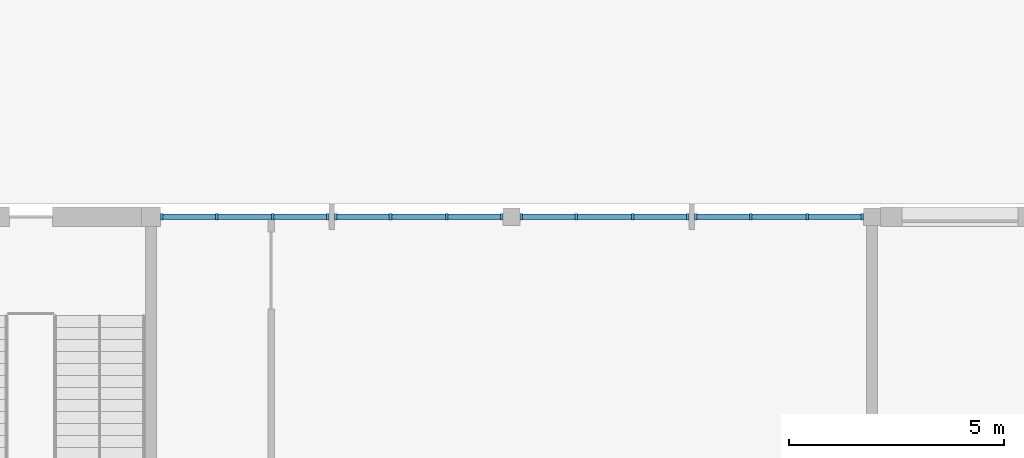
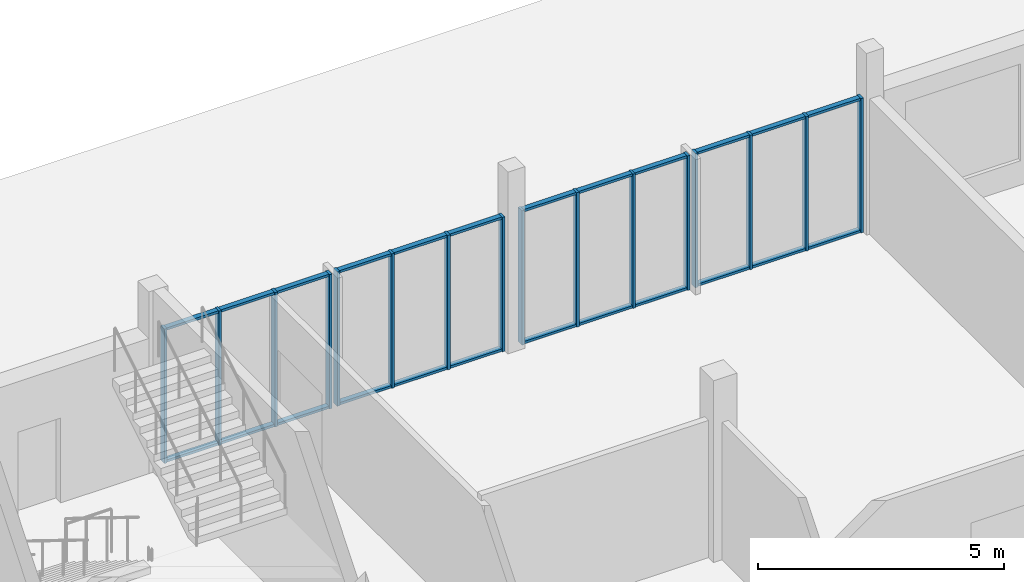
# One storey, part 52 of 101: 40 members, 4 elements without a shape of their own.
"""IFC4 building model written with IfcOpenShell, lengths in metres."""

from ifc_helpers import new_model, si_unit, direction, frame, origin, origin_2d, place, context, subcontext, project, spatial, rectangle, extrude, material, material_profile, profile_set, type_object, element, aggregate, save


model = new_model("IFC4")

# Units and contexts
model_context = context("Model", 3, precision=1e-05, world=origin(), true_north=direction((0.0, 1.0)))
body_context = subcontext(model_context, "Body", "Model", "MODEL_VIEW")
ifc_project = project(units=[si_unit("LENGTHUNIT", "METRE"), si_unit("AREAUNIT", "SQUARE_METRE"), si_unit("VOLUMEUNIT", "CUBIC_METRE"), si_unit("PLANEANGLEUNIT", "RADIAN"), si_unit("MASSUNIT", "GRAM", prefix="KILO")], contexts=[model_context])

# Site, building, storey
site_placement = place(None, origin())
site = spatial("IfcSite", under=ifc_project, at=site_placement, CompositionType="ELEMENT")
building_placement = place(site_placement, origin())
building = spatial("IfcBuilding", under=site, at=building_placement, Name="Fescue Hill Polytechnic", CompositionType="ELEMENT")
storey_placement = place(building_placement, frame((0.0, 0.0, 9.0)))
storey = spatial("IfcBuildingStorey", under=building, at=storey_placement, Name="L02", CompositionType="ELEMENT", Elevation=9.0)

# Curtain wall, members
ifc_material_1 = material(Name="Glass", Category="glass")
curtain_wall_type = type_object("IfcCurtainWallType", Name="Curtain wall structural glazing", PredefinedType="NOTDEFINED", material=ifc_material_1)
curtain_wall_1_placement = place(storey_placement, origin())
curtain_wall_1 = element("IfcCurtainWall", 1, at=curtain_wall_1_placement, inside=storey, type_object=curtain_wall_type, Name="CW-L02-V5-1", PredefinedType="NOTDEFINED")
ifc_material_2 = material(Name="Powder-coated aluminium", Category="aluminium")
ifc_material_profile_1 = material_profile(ifc_material_2, rectangle(XDim=0.159912109375, YDim=0.06005859375, at=origin_2d()), Name="Mullion aluminium 60x160")
ifc_profile_set_1 = profile_set([ifc_material_profile_1], Name="Powder-coated aluminium")
member_type_1 = type_object("IfcMemberType", Name="Mullion aluminium 60x160", PredefinedType="MULLION", material=ifc_profile_set_1)
member_1_placement = place(storey_placement, frame((58.570068359375, 134.39990234375, 0.0), z_axis=(0.0, 0.0, 1.0), x_axis=(0.0, -1.0, 0.0)))
member_1 = element("IfcMember", 2, at=member_1_placement, type_object=member_type_1, Name="CW62 mullion 1", PredefinedType="MULLION", context=body_context, shape_type="SweptSolid", body=[
    extrude(rectangle(XDim=0.159912109375, YDim=0.06005859375, at=origin_2d()), origin(), (0.0, 0.0, 1.0), 3.330078125),
])
member_2_placement = place(storey_placement, frame((57.28662109375, 134.39990234375, 0.0), z_axis=(0.0, 0.0, 1.0), x_axis=(0.0, -1.0, 0.0)))
member_2 = element("IfcMember", 3, at=member_2_placement, type_object=member_type_1, Name="CW62 mullion 2", PredefinedType="MULLION", context=body_context, shape_type="SweptSolid", body=[
    extrude(rectangle(XDim=0.159912109375, YDim=0.06005859375, at=origin_2d()), origin(), (0.0, 0.0, 1.0), 3.330078125),
])
member_3_placement = place(storey_placement, frame((55.973388671875, 134.39990234375, 0.0), z_axis=(0.0, 0.0, 1.0), x_axis=(0.0, -1.0, 0.0)))
member_3 = element("IfcMember", 4, at=member_3_placement, type_object=member_type_1, Name="CW62 mullion 3", PredefinedType="MULLION", context=body_context, shape_type="SweptSolid", body=[
    extrude(rectangle(XDim=0.159912109375, YDim=0.06005859375, at=origin_2d()), origin(), (0.0, 0.0, 1.0), 3.330078125),
])
member_4_placement = place(storey_placement, frame((54.68994140625, 134.39990234375, 0.0), z_axis=(0.0, 0.0, 1.0), x_axis=(0.0, -1.0, 0.0)))
member_4 = element("IfcMember", 5, at=member_4_placement, type_object=member_type_1, Name="CW62 mullion 4", PredefinedType="MULLION", context=body_context, shape_type="SweptSolid", body=[
    extrude(rectangle(XDim=0.159912109375, YDim=0.06005859375, at=origin_2d()), origin(), (0.0, 0.0, 1.0), 3.330078125),
])

curtain_wall_2_placement = place(storey_placement, origin())
curtain_wall_2 = element("IfcCurtainWall", 6, at=curtain_wall_2_placement, inside=storey, type_object=curtain_wall_type, Name="CW-L02-V5-2", PredefinedType="NOTDEFINED")
member_5_placement = place(storey_placement, frame((54.510009765625, 134.39990234375, 0.0), z_axis=(0.0, 0.0, 1.0), x_axis=(0.0, -1.0, 0.0)))
member_5 = element("IfcMember", 7, at=member_5_placement, type_object=member_type_1, Name="CW63 mullion 1", PredefinedType="MULLION", context=body_context, shape_type="SweptSolid", body=[
    extrude(rectangle(XDim=0.159912109375, YDim=0.06005859375, at=origin_2d()), origin(), (0.0, 0.0, 1.0), 3.330078125),
])
member_6_placement = place(storey_placement, frame((53.2265625, 134.39990234375, 0.0), z_axis=(0.0, 0.0, 1.0), x_axis=(0.0, -1.0, 0.0)))
member_6 = element("IfcMember", 8, at=member_6_placement, type_object=member_type_1, Name="CW63 mullion 2", PredefinedType="MULLION", context=body_context, shape_type="SweptSolid", body=[
    extrude(rectangle(XDim=0.159912109375, YDim=0.06005859375, at=origin_2d()), origin(), (0.0, 0.0, 1.0), 3.330078125),
])
member_7_placement = place(storey_placement, frame((51.913330078125, 134.39990234375, 0.0), z_axis=(0.0, 0.0, 1.0), x_axis=(0.0, -1.0, 0.0)))
member_7 = element("IfcMember", 9, at=member_7_placement, type_object=member_type_1, Name="CW63 mullion 3", PredefinedType="MULLION", context=body_context, shape_type="SweptSolid", body=[
    extrude(rectangle(XDim=0.159912109375, YDim=0.06005859375, at=origin_2d()), origin(), (0.0, 0.0, 1.0), 3.330078125),
])
member_8_placement = place(storey_placement, frame((50.6298828125, 134.39990234375, 0.0), z_axis=(0.0, 0.0, 1.0), x_axis=(0.0, -1.0, 0.0)))
member_8 = element("IfcMember", 10, at=member_8_placement, type_object=member_type_1, Name="CW63 mullion 4", PredefinedType="MULLION", context=body_context, shape_type="SweptSolid", body=[
    extrude(rectangle(XDim=0.159912109375, YDim=0.06005859375, at=origin_2d()), origin(), (0.0, 0.0, 1.0), 3.330078125),
])

curtain_wall_3_placement = place(storey_placement, origin())
curtain_wall_3 = element("IfcCurtainWall", 11, at=curtain_wall_3_placement, inside=storey, type_object=curtain_wall_type, Name="CW-L02-V5-3", PredefinedType="NOTDEFINED")
member_9_placement = place(storey_placement, frame((50.169921875, 134.39990234375, 0.0), z_axis=(0.0, 0.0, 1.0), x_axis=(0.0, -1.0, 0.0)))
member_9 = element("IfcMember", 12, at=member_9_placement, type_object=member_type_1, Name="CW64 mullion 1", PredefinedType="MULLION", context=body_context, shape_type="SweptSolid", body=[
    extrude(rectangle(XDim=0.159912109375, YDim=0.06005859375, at=origin_2d()), origin(), (0.0, 0.0, 1.0), 3.330078125),
])
member_10_placement = place(storey_placement, frame((48.890869140625, 134.39990234375, 0.0), z_axis=(0.0, 0.0, 1.0), x_axis=(0.0, -1.0, 0.0)))
member_10 = element("IfcMember", 13, at=member_10_placement, type_object=member_type_1, Name="CW64 mullion 2", PredefinedType="MULLION", context=body_context, shape_type="SweptSolid", body=[
    extrude(rectangle(XDim=0.159912109375, YDim=0.06005859375, at=origin_2d()), origin(), (0.0, 0.0, 1.0), 3.330078125),
])
member_11_placement = place(storey_placement, frame((47.581787109375, 134.39990234375, 0.0), z_axis=(0.0, 0.0, 1.0), x_axis=(0.0, -1.0, 0.0)))
member_11 = element("IfcMember", 14, at=member_11_placement, type_object=member_type_1, Name="CW64 mullion 3", PredefinedType="MULLION", context=body_context, shape_type="SweptSolid", body=[
    extrude(rectangle(XDim=0.159912109375, YDim=0.06005859375, at=origin_2d()), origin(), (0.0, 0.0, 1.0), 3.330078125),
])
member_12_placement = place(storey_placement, frame((46.302490234375, 134.39990234375, 0.0), z_axis=(0.0, 0.0, 1.0), x_axis=(0.0, -1.0, 0.0)))
member_12 = element("IfcMember", 15, at=member_12_placement, type_object=member_type_1, Name="CW64 mullion 4", PredefinedType="MULLION", context=body_context, shape_type="SweptSolid", body=[
    extrude(rectangle(XDim=0.159912109375, YDim=0.06005859375, at=origin_2d()), origin(), (0.0, 0.0, 1.0), 3.330078125),
])

curtain_wall_4_placement = place(storey_placement, origin())
curtain_wall_4 = element("IfcCurtainWall", 16, at=curtain_wall_4_placement, inside=storey, type_object=curtain_wall_type, Name="CW-L02-V5-X1", PredefinedType="NOTDEFINED")
member_13_placement = place(storey_placement, frame((46.12255859375, 134.39990234375, 0.0), z_axis=(0.0, 0.0, 1.0), x_axis=(0.0, -1.0, 0.0)))
member_13 = element("IfcMember", 17, at=member_13_placement, type_object=member_type_1, Name="CW151 mullion 1", PredefinedType="MULLION", context=body_context, shape_type="SweptSolid", body=[
    extrude(rectangle(XDim=0.159912109375, YDim=0.06005859375, at=origin_2d()), origin(), (0.0, 0.0, 1.0), 3.330078125),
])
member_14_placement = place(storey_placement, frame((44.84326171875, 134.39990234375, 0.0), z_axis=(0.0, 0.0, 1.0), x_axis=(0.0, -1.0, 0.0)))
member_14 = element("IfcMember", 18, at=member_14_placement, type_object=member_type_1, Name="CW151 mullion 2", PredefinedType="MULLION", context=body_context, shape_type="SweptSolid", body=[
    extrude(rectangle(XDim=0.159912109375, YDim=0.06005859375, at=origin_2d()), origin(), (0.0, 0.0, 1.0), 3.330078125),
])
member_15_placement = place(storey_placement, frame((43.5341796875, 134.39990234375, 0.0), z_axis=(0.0, 0.0, 1.0), x_axis=(0.0, -1.0, 0.0)))
member_15 = element("IfcMember", 19, at=member_15_placement, type_object=member_type_1, Name="CW151 mullion 3", PredefinedType="MULLION", context=body_context, shape_type="SweptSolid", body=[
    extrude(rectangle(XDim=0.159912109375, YDim=0.06005859375, at=origin_2d()), origin(), (0.0, 0.0, 1.0), 3.330078125),
])
member_16_placement = place(storey_placement, frame((42.2548828125, 134.39990234375, 0.0), z_axis=(0.0, 0.0, 1.0), x_axis=(0.0, -1.0, 0.0)))
member_16 = element("IfcMember", 20, at=member_16_placement, type_object=member_type_1, Name="CW151 mullion 4", PredefinedType="MULLION", context=body_context, shape_type="SweptSolid", body=[
    extrude(rectangle(XDim=0.159912109375, YDim=0.06005859375, at=origin_2d()), origin(), (0.0, 0.0, 1.0), 3.330078125),
])

# Member
ifc_material_profile_2 = material_profile(ifc_material_2, rectangle(XDim=0.1201171875, YDim=0.06005859375, at=origin_2d()), Name="Transom aluminium 60x120")
ifc_profile_set_2 = profile_set([ifc_material_profile_2], Name="Powder-coated aluminium")
member_type_2 = type_object("IfcMemberType", Name="Transom aluminium 60x120", PredefinedType="USERDEFINED", material=ifc_profile_set_2)
member_17_placement = place(storey_placement, frame((58.5400390625, 134.39990234375, 0.030029296875), z_axis=(-1.0, 0.0, 0.0), x_axis=(0.0, -1.0, 0.0)))
member_17 = element("IfcMember", 21, at=member_17_placement, type_object=member_type_2, Name="CW62 transom 1.1", ObjectType="TRANSOM", PredefinedType="USERDEFINED", context=body_context, shape_type="SweptSolid", body=[
    extrude(rectangle(XDim=0.1201171875, YDim=0.06005859375, at=origin_2d()), origin(), (0.0, 0.0, 1.0), 1.223388671875),
])

member_18_placement = place(storey_placement, frame((58.5400390625, 134.39990234375, 3.300048828125), z_axis=(-1.0, 0.0, 0.0), x_axis=(0.0, -1.0, 0.0)))
member_18 = element("IfcMember", 22, at=member_18_placement, type_object=member_type_2, Name="CW62 transom 1.2", ObjectType="TRANSOM", PredefinedType="USERDEFINED", context=body_context, shape_type="SweptSolid", body=[
    extrude(rectangle(XDim=0.1201171875, YDim=0.06005859375, at=origin_2d()), origin(), (0.0, 0.0, 1.0), 1.223388671875),
])

member_19_placement = place(storey_placement, frame((57.256591796875, 134.39990234375, 0.030029296875), z_axis=(-1.0, 0.0, 0.0), x_axis=(0.0, -1.0, 0.0)))
member_19 = element("IfcMember", 23, at=member_19_placement, type_object=member_type_2, Name="CW62 transom 2.1", ObjectType="TRANSOM", PredefinedType="USERDEFINED", context=body_context, shape_type="SweptSolid", body=[
    extrude(rectangle(XDim=0.1201171875, YDim=0.06005859375, at=origin_2d()), origin(), (0.0, 0.0, 1.0), 1.253173828125),
])

member_20_placement = place(storey_placement, frame((57.256591796875, 134.39990234375, 3.300048828125), z_axis=(-1.0, 0.0, 0.0), x_axis=(0.0, -1.0, 0.0)))
member_20 = element("IfcMember", 24, at=member_20_placement, type_object=member_type_2, Name="CW62 transom 2.2", ObjectType="TRANSOM", PredefinedType="USERDEFINED", context=body_context, shape_type="SweptSolid", body=[
    extrude(rectangle(XDim=0.1201171875, YDim=0.06005859375, at=origin_2d()), origin(), (0.0, 0.0, 1.0), 1.253173828125),
])

member_21_placement = place(storey_placement, frame((55.943359375, 134.39990234375, 0.030029296875), z_axis=(-1.0, 0.0, 0.0), x_axis=(0.0, -1.0, 0.0)))
member_21 = element("IfcMember", 25, at=member_21_placement, type_object=member_type_2, Name="CW62 transom 3.1", ObjectType="TRANSOM", PredefinedType="USERDEFINED", context=body_context, shape_type="SweptSolid", body=[
    extrude(rectangle(XDim=0.1201171875, YDim=0.06005859375, at=origin_2d()), origin(), (0.0, 0.0, 1.0), 1.223388671875),
])

member_22_placement = place(storey_placement, frame((55.943359375, 134.39990234375, 3.300048828125), z_axis=(-1.0, 0.0, 0.0), x_axis=(0.0, -1.0, 0.0)))
member_22 = element("IfcMember", 26, at=member_22_placement, type_object=member_type_2, Name="CW62 transom 3.2", ObjectType="TRANSOM", PredefinedType="USERDEFINED", context=body_context, shape_type="SweptSolid", body=[
    extrude(rectangle(XDim=0.1201171875, YDim=0.06005859375, at=origin_2d()), origin(), (0.0, 0.0, 1.0), 1.223388671875),
])

aggregate(curtain_wall_1, [member_1, member_2, member_3, member_4, member_17, member_18, member_19, member_20, member_21, member_22])

member_23_placement = place(storey_placement, frame((54.47998046875, 134.39990234375, 0.030029296875), z_axis=(-1.0, 0.0, 0.0), x_axis=(0.0, -1.0, 0.0)))
member_23 = element("IfcMember", 27, at=member_23_placement, type_object=member_type_2, Name="CW63 transom 1.1", ObjectType="TRANSOM", PredefinedType="USERDEFINED", context=body_context, shape_type="SweptSolid", body=[
    extrude(rectangle(XDim=0.1201171875, YDim=0.06005859375, at=origin_2d()), origin(), (0.0, 0.0, 1.0), 1.223388671875),
])

member_24_placement = place(storey_placement, frame((54.47998046875, 134.39990234375, 3.300048828125), z_axis=(-1.0, 0.0, 0.0), x_axis=(0.0, -1.0, 0.0)))
member_24 = element("IfcMember", 28, at=member_24_placement, type_object=member_type_2, Name="CW63 transom 1.2", ObjectType="TRANSOM", PredefinedType="USERDEFINED", context=body_context, shape_type="SweptSolid", body=[
    extrude(rectangle(XDim=0.1201171875, YDim=0.06005859375, at=origin_2d()), origin(), (0.0, 0.0, 1.0), 1.223388671875),
])

member_25_placement = place(storey_placement, frame((53.19677734375, 134.39990234375, 0.030029296875), z_axis=(-1.0, 0.0, 0.0), x_axis=(0.0, -1.0, 0.0)))
member_25 = element("IfcMember", 29, at=member_25_placement, type_object=member_type_2, Name="CW63 transom 2.1", ObjectType="TRANSOM", PredefinedType="USERDEFINED", context=body_context, shape_type="SweptSolid", body=[
    extrude(rectangle(XDim=0.1201171875, YDim=0.06005859375, at=origin_2d()), origin(), (0.0, 0.0, 1.0), 1.25341796875),
])

member_26_placement = place(storey_placement, frame((53.19677734375, 134.39990234375, 3.300048828125), z_axis=(-1.0, 0.0, 0.0), x_axis=(0.0, -1.0, 0.0)))
member_26 = element("IfcMember", 30, at=member_26_placement, type_object=member_type_2, Name="CW63 transom 2.2", ObjectType="TRANSOM", PredefinedType="USERDEFINED", context=body_context, shape_type="SweptSolid", body=[
    extrude(rectangle(XDim=0.1201171875, YDim=0.06005859375, at=origin_2d()), origin(), (0.0, 0.0, 1.0), 1.25341796875),
])

member_27_placement = place(storey_placement, frame((51.88330078125, 134.39990234375, 0.030029296875), z_axis=(-1.0, 0.0, 0.0), x_axis=(0.0, -1.0, 0.0)))
member_27 = element("IfcMember", 31, at=member_27_placement, type_object=member_type_2, Name="CW63 transom 3.1", ObjectType="TRANSOM", PredefinedType="USERDEFINED", context=body_context, shape_type="SweptSolid", body=[
    extrude(rectangle(XDim=0.1201171875, YDim=0.06005859375, at=origin_2d()), origin(), (0.0, 0.0, 1.0), 1.223388671875),
])

member_28_placement = place(storey_placement, frame((51.88330078125, 134.39990234375, 3.300048828125), z_axis=(-1.0, 0.0, 0.0), x_axis=(0.0, -1.0, 0.0)))
member_28 = element("IfcMember", 32, at=member_28_placement, type_object=member_type_2, Name="CW63 transom 3.2", ObjectType="TRANSOM", PredefinedType="USERDEFINED", context=body_context, shape_type="SweptSolid", body=[
    extrude(rectangle(XDim=0.1201171875, YDim=0.06005859375, at=origin_2d()), origin(), (0.0, 0.0, 1.0), 1.223388671875),
])

aggregate(curtain_wall_2, [member_5, member_6, member_7, member_8, member_23, member_24, member_25, member_26, member_27, member_28])

member_29_placement = place(storey_placement, frame((50.139892578125, 134.39990234375, 0.030029296875), z_axis=(-1.0, 0.0, 0.0), x_axis=(0.0, -1.0, 0.0)))
member_29 = element("IfcMember", 33, at=member_29_placement, type_object=member_type_2, Name="CW64 transom 1.1", ObjectType="TRANSOM", PredefinedType="USERDEFINED", context=body_context, shape_type="SweptSolid", body=[
    extrude(rectangle(XDim=0.1201171875, YDim=0.06005859375, at=origin_2d()), origin(), (0.0, 0.0, 1.0), 1.218994140625),
])

member_30_placement = place(storey_placement, frame((50.139892578125, 134.39990234375, 3.300048828125), z_axis=(-1.0, 0.0, 0.0), x_axis=(0.0, -1.0, 0.0)))
member_30 = element("IfcMember", 34, at=member_30_placement, type_object=member_type_2, Name="CW64 transom 1.2", ObjectType="TRANSOM", PredefinedType="USERDEFINED", context=body_context, shape_type="SweptSolid", body=[
    extrude(rectangle(XDim=0.1201171875, YDim=0.06005859375, at=origin_2d()), origin(), (0.0, 0.0, 1.0), 1.218994140625),
])

member_31_placement = place(storey_placement, frame((48.86083984375, 134.39990234375, 0.030029296875), z_axis=(-1.0, 0.0, 0.0), x_axis=(0.0, -1.0, 0.0)))
member_31 = element("IfcMember", 35, at=member_31_placement, type_object=member_type_2, Name="CW64 transom 2.1", ObjectType="TRANSOM", PredefinedType="USERDEFINED", context=body_context, shape_type="SweptSolid", body=[
    extrude(rectangle(XDim=0.1201171875, YDim=0.06005859375, at=origin_2d()), origin(), (0.0, 0.0, 1.0), 1.249267578125),
])

member_32_placement = place(storey_placement, frame((48.86083984375, 134.39990234375, 3.300048828125), z_axis=(-1.0, 0.0, 0.0), x_axis=(0.0, -1.0, 0.0)))
member_32 = element("IfcMember", 36, at=member_32_placement, type_object=member_type_2, Name="CW64 transom 2.2", ObjectType="TRANSOM", PredefinedType="USERDEFINED", context=body_context, shape_type="SweptSolid", body=[
    extrude(rectangle(XDim=0.1201171875, YDim=0.06005859375, at=origin_2d()), origin(), (0.0, 0.0, 1.0), 1.249267578125),
])

member_33_placement = place(storey_placement, frame((47.5517578125, 134.39990234375, 0.030029296875), z_axis=(-1.0, 0.0, 0.0), x_axis=(0.0, -1.0, 0.0)))
member_33 = element("IfcMember", 37, at=member_33_placement, type_object=member_type_2, Name="CW64 transom 3.1", ObjectType="TRANSOM", PredefinedType="USERDEFINED", context=body_context, shape_type="SweptSolid", body=[
    extrude(rectangle(XDim=0.1201171875, YDim=0.06005859375, at=origin_2d()), origin(), (0.0, 0.0, 1.0), 1.21923828125),
])

member_34_placement = place(storey_placement, frame((47.5517578125, 134.39990234375, 3.300048828125), z_axis=(-1.0, 0.0, 0.0), x_axis=(0.0, -1.0, 0.0)))
member_34 = element("IfcMember", 38, at=member_34_placement, type_object=member_type_2, Name="CW64 transom 3.2", ObjectType="TRANSOM", PredefinedType="USERDEFINED", context=body_context, shape_type="SweptSolid", body=[
    extrude(rectangle(XDim=0.1201171875, YDim=0.06005859375, at=origin_2d()), origin(), (0.0, 0.0, 1.0), 1.21923828125),
])

aggregate(curtain_wall_3, [member_9, member_10, member_11, member_12, member_29, member_30, member_31, member_32, member_33, member_34])

member_35_placement = place(storey_placement, frame((46.092529296875, 134.39990234375, 0.030029296875), z_axis=(-1.0, 0.0, 0.0), x_axis=(0.0, -1.0, 0.0)))
member_35 = element("IfcMember", 39, at=member_35_placement, type_object=member_type_2, Name="CW151 transom 1.1", ObjectType="TRANSOM", PredefinedType="USERDEFINED", context=body_context, shape_type="SweptSolid", body=[
    extrude(rectangle(XDim=0.1201171875, YDim=0.06005859375, at=origin_2d()), origin(), (0.0, 0.0, 1.0), 1.21923828125),
])

member_36_placement = place(storey_placement, frame((46.092529296875, 134.39990234375, 3.300048828125), z_axis=(-1.0, 0.0, 0.0), x_axis=(0.0, -1.0, 0.0)))
member_36 = element("IfcMember", 40, at=member_36_placement, type_object=member_type_2, Name="CW151 transom 1.2", ObjectType="TRANSOM", PredefinedType="USERDEFINED", context=body_context, shape_type="SweptSolid", body=[
    extrude(rectangle(XDim=0.1201171875, YDim=0.06005859375, at=origin_2d()), origin(), (0.0, 0.0, 1.0), 1.21923828125),
])

member_37_placement = place(storey_placement, frame((44.813232421875, 134.39990234375, 0.030029296875), z_axis=(-1.0, 0.0, 0.0), x_axis=(0.0, -1.0, 0.0)))
member_37 = element("IfcMember", 41, at=member_37_placement, type_object=member_type_2, Name="CW151 transom 2.1", ObjectType="TRANSOM", PredefinedType="USERDEFINED", context=body_context, shape_type="SweptSolid", body=[
    extrude(rectangle(XDim=0.1201171875, YDim=0.06005859375, at=origin_2d()), origin(), (0.0, 0.0, 1.0), 1.2490234375),
])

member_38_placement = place(storey_placement, frame((44.813232421875, 134.39990234375, 3.300048828125), z_axis=(-1.0, 0.0, 0.0), x_axis=(0.0, -1.0, 0.0)))
member_38 = element("IfcMember", 42, at=member_38_placement, type_object=member_type_2, Name="CW151 transom 2.2", ObjectType="TRANSOM", PredefinedType="USERDEFINED", context=body_context, shape_type="SweptSolid", body=[
    extrude(rectangle(XDim=0.1201171875, YDim=0.06005859375, at=origin_2d()), origin(), (0.0, 0.0, 1.0), 1.2490234375),
])

member_39_placement = place(storey_placement, frame((43.504150390625, 134.39990234375, 0.030029296875), z_axis=(-1.0, 0.0, 0.0), x_axis=(0.0, -1.0, 0.0)))
member_39 = element("IfcMember", 43, at=member_39_placement, type_object=member_type_2, Name="CW151 transom 3.1", ObjectType="TRANSOM", PredefinedType="USERDEFINED", context=body_context, shape_type="SweptSolid", body=[
    extrude(rectangle(XDim=0.1201171875, YDim=0.06005859375, at=origin_2d()), origin(), (0.0, 0.0, 1.0), 1.21923828125),
])

member_40_placement = place(storey_placement, frame((43.504150390625, 134.39990234375, 3.300048828125), z_axis=(-1.0, 0.0, 0.0), x_axis=(0.0, -1.0, 0.0)))
member_40 = element("IfcMember", 44, at=member_40_placement, type_object=member_type_2, Name="CW151 transom 3.2", ObjectType="TRANSOM", PredefinedType="USERDEFINED", context=body_context, shape_type="SweptSolid", body=[
    extrude(rectangle(XDim=0.1201171875, YDim=0.06005859375, at=origin_2d()), origin(), (0.0, 0.0, 1.0), 1.21923828125),
])

aggregate(curtain_wall_4, [member_13, member_14, member_15, member_16, member_35, member_36, member_37, member_38, member_39, member_40])

save(model, "model.ifc")
